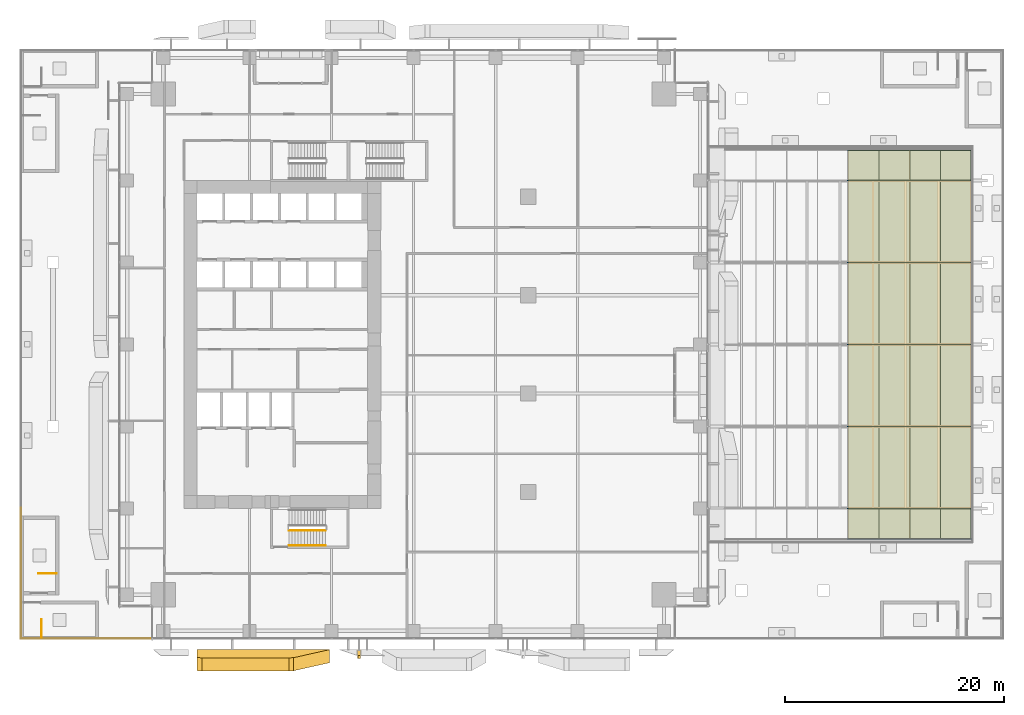
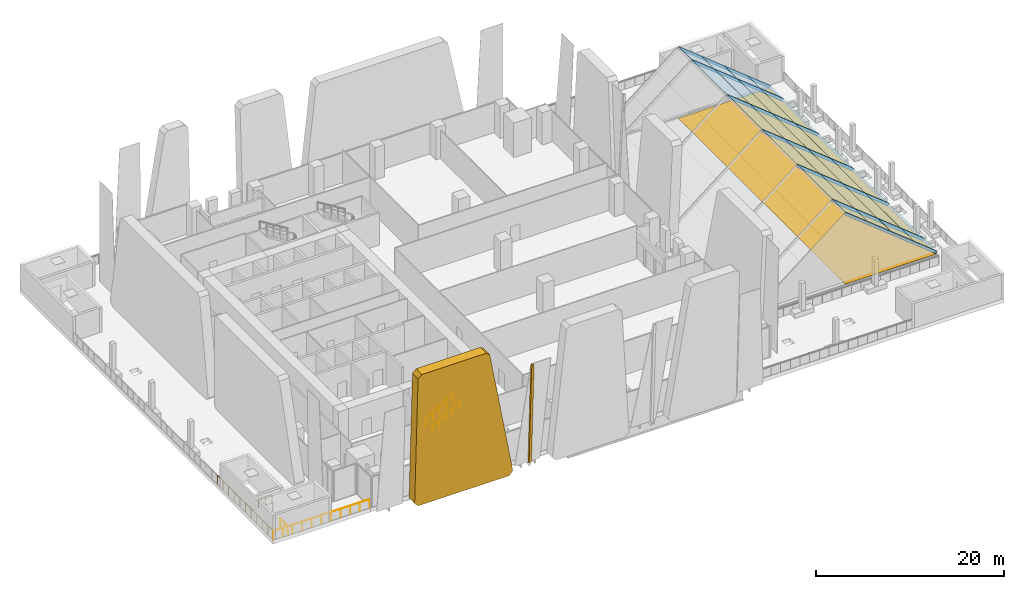
# One storey, part 41 of 46: 24 plates, 8 railings, 7 members, 2 coverings, 1 curtain wall.
"""IFC4 building model written with IfcOpenShell, lengths in metres."""

import ifcopenshell
import ifcopenshell.guid

model = None  # the IFC model being written
_history = None  # IfcOwnerHistory: only IFC2X3 demands one
_inside = {}  # id of a spatial element -> (the spatial element, [elements in it])
_under = {}  # id of a project, library or spatial element -> (it, [spatial elements below it])
_declared = {}  # id of a project -> (the project, [libraries it declares])
_typed = {}  # id of a type object -> (the type object, [elements of that type])
_made_of = {}  # id of a material, layer set ... -> (it, [elements and type objects made of it])


def new_model(schema):
    """Start an empty IFC model of exactly this schema.

    Asked for "IFC4X3", IfcOpenShell would pick the latest addendum, in which some entities
    have other attributes; the version numbers below select the first issue.
    IFC2X3 requires an IfcOwnerHistory on every rooted entity: one is made here for all.
    """
    global model, _history
    if schema == "IFC4X3":
        model = ifcopenshell.file(schema_version=(4, 3, 0, 0))
    else:
        model = ifcopenshell.file(schema=schema)
    _inside.clear()
    _under.clear()
    _declared.clear()
    _typed.clear()
    _made_of.clear()
    _history = None
    if model.schema == "IFC2X3":
        org = make("IfcOrganization", Name="unknown")
        user = make(
            "IfcPersonAndOrganization",
            ThePerson=make("IfcPerson", FamilyName="unknown"),
            TheOrganization=org,
        )
        app = make(
            "IfcApplication",
            ApplicationDeveloper=org,
            Version="unknown",
            ApplicationFullName="unknown",
            ApplicationIdentifier="unknown",
        )
        _history = make(
            "IfcOwnerHistory",
            OwningUser=user,
            OwningApplication=app,
            ChangeAction="ADDED",
            CreationDate=0,
        )
    return model


def make(cls, **values):
    """One entity of the class cls with the attributes given. An attribute that is None is left unset."""
    return model.create_entity(
        cls, **{name: value for name, value in values.items() if value is not None}
    )


def rooted(cls, **values):
    """An entity with a GlobalId (a new one), such as an element, a storey or a relation."""
    return make(cls, GlobalId=ifcopenshell.guid.new(), OwnerHistory=_history, **values)


def si_unit(unit_type, name, prefix=None):
    """IfcSIUnit, for example si_unit("LENGTHUNIT", "METRE", prefix="MILLI")."""
    return make("IfcSIUnit", UnitType=unit_type, Prefix=prefix, Name=name)


def assignment(units):
    """IfcUnitAssignment: the units of a project."""
    return None if units is None else make("IfcUnitAssignment", Units=units)


def point(xyz):
    """IfcCartesianPoint."""
    return None if xyz is None else make("IfcCartesianPoint", Coordinates=xyz)


def direction(xyz):
    """IfcDirection."""
    return None if xyz is None else make("IfcDirection", DirectionRatios=xyz)


def frame(location, z_axis=None, x_axis=None):
    """IfcAxis2Placement3D, a coordinate frame: its origin and axes. An axis left out is left unset."""
    return make(
        "IfcAxis2Placement3D",
        Location=point(location),
        Axis=direction(z_axis),
        RefDirection=direction(x_axis),
    )


def frame_2d(location, x_axis=None):
    """IfcAxis2Placement2D, a coordinate frame in the plane: its origin and x axis."""
    return make(
        "IfcAxis2Placement2D", Location=point(location), RefDirection=direction(x_axis)
    )


def origin():
    """The frame at (0, 0, 0) with its axes left unset."""
    return frame((0.0, 0.0, 0.0))


def origin_2d():
    """The frame at (0, 0) in the plane with its x axis left unset."""
    return frame_2d((0.0, 0.0))


def place(relative_to, where):
    """IfcLocalPlacement: puts the frame where relative to a parent placement (None: the world)."""
    return make(
        "IfcLocalPlacement", PlacementRelTo=relative_to, RelativePlacement=where
    )


def context(
    kind, dimensions, precision=None, world=None, true_north=None, identifier=None
):
    """IfcGeometricRepresentationContext, for example the 3D "Model" context."""
    return make(
        "IfcGeometricRepresentationContext",
        ContextIdentifier=identifier,
        ContextType=kind,
        CoordinateSpaceDimension=dimensions,
        Precision=precision,
        WorldCoordinateSystem=world,
        TrueNorth=true_north,
    )


def subcontext(parent, identifier, kind, view, scale=None):
    """IfcGeometricRepresentationSubContext, for example "Body" below "Model"."""
    return make(
        "IfcGeometricRepresentationSubContext",
        ContextIdentifier=identifier,
        ContextType=kind,
        ParentContext=parent,
        TargetScale=scale,
        TargetView=view,
    )


def project(units=None, contexts=None):
    """IfcProject with its units and contexts."""
    return rooted(
        "IfcProject",
        Name="project",
        RepresentationContexts=contexts,
        UnitsInContext=assignment(units),
    )


def spatial(cls, under=None, at=None, **own):
    """A site, building, storey or space (cls), placed at a placement, below another one or the project."""
    s = rooted(cls, ObjectPlacement=at, **own)
    if under is not None:
        _under.setdefault(under.id(), (under, []))[1].append(s)
    return s


def polyline(points):
    """IfcPolyline through the points."""
    return make("IfcPolyline", Points=[point(p) for p in points])


def profile(cls, at=None, kind="AREA", **sizes):
    """A parametric profile (cls). Its sizes go by their IFC names, for example OverallWidth=200.0."""
    return make(cls, ProfileType=kind, Position=at, **sizes)


def hollow_rectangle(**sizes):
    """IfcRectangleHollowProfileDef."""
    return profile("IfcRectangleHollowProfileDef", **sizes)


def circle(**sizes):
    """IfcCircleProfileDef."""
    return profile("IfcCircleProfileDef", **sizes)


def outline(outer, holes=None, kind="AREA"):
    """IfcArbitraryClosedProfileDef: a profile drawn as a closed curve; with holes, ...WithVoids."""
    if holes is None:
        return make("IfcArbitraryClosedProfileDef", ProfileType=kind, OuterCurve=outer)
    return make(
        "IfcArbitraryProfileDefWithVoids",
        ProfileType=kind,
        OuterCurve=outer,
        InnerCurves=holes,
    )


def extrude(swept, where, along, depth):
    """IfcExtrudedAreaSolid: the profile swept, set in the frame where, extruded along a direction by depth."""
    return make(
        "IfcExtrudedAreaSolid",
        SweptArea=swept,
        Position=where,
        ExtrudedDirection=direction(along),
        Depth=depth,
    )


def shape(context_of_items, identifier, shape_type, items):
    """IfcShapeRepresentation: the items that make up one representation, for example the "Body"."""
    return make(
        "IfcShapeRepresentation",
        ContextOfItems=context_of_items,
        RepresentationIdentifier=identifier,
        RepresentationType=shape_type,
        Items=items,
    )


def source(mapping_origin, context_of_items, identifier, shape_type, items):
    """IfcRepresentationMap: a shape defined once, which mapped items show again and again."""
    return make(
        "IfcRepresentationMap",
        MappingOrigin=mapping_origin,
        MappedRepresentation=shape(context_of_items, identifier, shape_type, items),
    )


def transform(
    local_origin,
    x_axis=None,
    y_axis=None,
    z_axis=None,
    scale=None,
    scale2=None,
    scale3=None,
    uniform=True,
):
    """IfcCartesianTransformationOperator3D, or its non-uniform kind. x_axis, y_axis, z_axis: its Axis1, 2, 3."""
    if uniform:
        return make(
            "IfcCartesianTransformationOperator3D",
            Axis1=direction(x_axis),
            Axis2=direction(y_axis),
            LocalOrigin=point(local_origin),
            Scale=scale,
            Axis3=direction(z_axis),
        )
    return make(
        "IfcCartesianTransformationOperator3DnonUniform",
        Axis1=direction(x_axis),
        Axis2=direction(y_axis),
        LocalOrigin=point(local_origin),
        Scale=scale,
        Axis3=direction(z_axis),
        Scale2=scale2,
        Scale3=scale3,
    )


def mapped(mapping_source, mapping_target):
    """IfcMappedItem: shows the shape of a source again, moved by a transform."""
    return make(
        "IfcMappedItem", MappingSource=mapping_source, MappingTarget=mapping_target
    )


def material(Name=None, Category=None):
    """IfcMaterial."""
    return make("IfcMaterial", Name=Name, Category=Category)


def layer(
    of_material, thickness, ventilated=None, Name=None, Category=None, Priority=None
):
    """IfcMaterialLayer: one layer of a wall or slab, of a material (None: an air gap)."""
    return make(
        "IfcMaterialLayer",
        Material=of_material,
        LayerThickness=thickness,
        IsVentilated=ventilated,
        Name=Name,
        Category=Category,
        Priority=Priority,
    )


def layer_set(layers, Name=None):
    """IfcMaterialLayerSet."""
    return make("IfcMaterialLayerSet", MaterialLayers=layers, LayerSetName=Name)


def material_profile(
    of_material, cross_section, Name=None, Category=None, Priority=None
):
    """IfcMaterialProfile: a cross section and its material."""
    return make(
        "IfcMaterialProfile",
        Name=Name,
        Material=of_material,
        Profile=cross_section,
        Priority=Priority,
        Category=Category,
    )


def profile_set(profiles, Name=None, composite=None):
    """IfcMaterialProfileSet."""
    return make(
        "IfcMaterialProfileSet",
        Name=Name,
        MaterialProfiles=profiles,
        CompositeProfile=composite,
    )


def made_of(thing, what):
    """Note that an element or type object is made of a material, layer set ...; save() writes the relation."""
    if what is not None:
        _made_of.setdefault(what.id(), (what, []))[1].append(thing)
    return thing


def type_object(cls, material=None, **own):
    """A type object (cls), such as IfcWallType, which elements share."""
    return made_of(rooted(cls, **own), material)


def element(
    cls,
    number,
    at=None,
    inside=None,
    cuts=None,
    type_object=None,
    material=None,
    context=None,
    identifier="Body",
    shape_type=None,
    held_by="IfcProductDefinitionShape",
    body=None,
    shapes=None,
    **own,
):
    """One element of the class cls, such as IfcWall. Its Tag is "e" and its number.

    at: its placement. inside: the storey or other place that contains it. cuts: it is an
    opening in that element (IfcRelVoidsElement). A single representation is given by context,
    identifier, shape_type and body (its items); several are given by shapes. held_by: the class
    of the entity that holds the representations. save() writes the other relations.
    """
    e = rooted(cls, Tag="e%d" % number, ObjectPlacement=at, **own)
    if body is not None:
        shapes = [shape(context, identifier, shape_type, body)]
    if shapes is not None:
        e.Representation = make(held_by, Representations=shapes)
    if inside is not None:
        _inside.setdefault(inside.id(), (inside, []))[1].append(e)
    if cuts is not None:
        rooted(
            "IfcRelVoidsElement", RelatingBuildingElement=cuts, RelatedOpeningElement=e
        )
    if type_object is not None:
        _typed.setdefault(type_object.id(), (type_object, []))[1].append(e)
    return made_of(e, material)


def aggregate(whole, parts):
    """IfcRelAggregates: a whole, such as a stair, and the parts it consists of."""
    return rooted("IfcRelAggregates", RelatingObject=whole, RelatedObjects=parts)


def save(model, path):
    """Write the relations noted so far, then the file.

    IfcRelAggregates (storeys below a building ...), IfcRelContainedInSpatialStructure (elements
    in a storey), IfcRelDefinesByType, IfcRelAssociatesMaterial and IfcRelDeclares: one each for
    every whole, place, type object, material and project.
    """
    for whole, parts in _under.values():
        aggregate(whole, parts)
    for where, things in _inside.values():
        rooted(
            "IfcRelContainedInSpatialStructure",
            RelatedElements=things,
            RelatingStructure=where,
        )
    for kind, things in _typed.values():
        rooted("IfcRelDefinesByType", RelatedObjects=things, RelatingType=kind)
    for what, things in _made_of.values():
        rooted("IfcRelAssociatesMaterial", RelatedObjects=things, RelatingMaterial=what)
    for by, libraries in _declared.values():
        rooted("IfcRelDeclares", RelatingContext=by, RelatedDefinitions=libraries)
    model.write(path)


model = new_model("IFC4")

# Units and contexts
model_context = context("Model", 3, precision=1e-05, world=origin(), true_north=direction((0.0, 1.0)))
body_context = subcontext(model_context, "Body", "Model", "MODEL_VIEW")
ifc_project = project(units=[si_unit("LENGTHUNIT", "METRE"), si_unit("AREAUNIT", "SQUARE_METRE"), si_unit("VOLUMEUNIT", "CUBIC_METRE"), si_unit("PLANEANGLEUNIT", "RADIAN"), si_unit("MASSUNIT", "GRAM", prefix="KILO")], contexts=[model_context])

# Member
ifc_material_1 = material(Name="Aluminium", Category="aluminium")
ifc_material_profile = material_profile(ifc_material_1, hollow_rectangle(XDim=0.10009765625, YDim=0.300048828125, WallThickness=0.007080078125, at=origin_2d()), Name="Atrium lantern rafter RF-L")
ifc_profile_set = profile_set([ifc_material_profile], Name="Aluminium")
member_type = type_object("IfcMemberType", Name="Atrium lantern rafter RF-L", PredefinedType="MULLION", material=ifc_profile_set)
shared_shape_1 = source(origin(), body_context, "Body", "SweptSolid", [
    extrude(hollow_rectangle(XDim=0.10009765625, YDim=0.300048828125, WallThickness=0.007080078125, at=origin_2d()), origin(), (0.0, 0.0, 1.0), 14.406982421875),
])
site_placement = place(None, origin())
building_placement = place(site_placement, origin())
storey_placement = place(building_placement, frame((0.0, 0.0, 33.0)))
member_1_placement = place(storey_placement, frame((78.0, 9.199951171875, 1.4521484375), z_axis=(-0.780868809443, 0.0, 0.624695047554), x_axis=(0.0, -1.0, 0.0)))
member_1 = element("IfcMember", 1, at=member_1_placement, type_object=member_type, Name="Atrium lantern rafter", PredefinedType="MULLION", context=body_context, shape_type="MappedRepresentation", body=[
    mapped(shared_shape_1, transform((0.0, 0.0, 0.0))),
])

member_2_placement = place(storey_placement, frame((78.0, 12.0, 1.4521484375), z_axis=(-0.780868809443, 0.0, 0.624695047554), x_axis=(0.0, -1.0, 0.0)))
member_2 = element("IfcMember", 2, at=member_2_placement, type_object=member_type, Name="Atrium lantern rafter", PredefinedType="MULLION", context=body_context, shape_type="MappedRepresentation", body=[
    mapped(shared_shape_1, transform((0.0, 0.0, 0.0))),
])

member_3_placement = place(storey_placement, frame((78.0, 19.5, 1.4521484375), z_axis=(-0.780868809443, 0.0, 0.624695047554), x_axis=(0.0, -1.0, 0.0)))
member_3 = element("IfcMember", 3, at=member_3_placement, type_object=member_type, Name="Atrium lantern rafter", PredefinedType="MULLION", context=body_context, shape_type="MappedRepresentation", body=[
    mapped(shared_shape_1, transform((0.0, 0.0, 0.0))),
])

member_4_placement = place(storey_placement, frame((78.0, 27.0, 1.4521484375), z_axis=(-0.780868809443, 0.0, 0.624695047554), x_axis=(0.0, -1.0, 0.0)))
member_4 = element("IfcMember", 4, at=member_4_placement, type_object=member_type, Name="Atrium lantern rafter", PredefinedType="MULLION", context=body_context, shape_type="MappedRepresentation", body=[
    mapped(shared_shape_1, transform((0.0, 0.0, 0.0))),
])

member_5_placement = place(storey_placement, frame((78.0, 34.5, 1.4521484375), z_axis=(-0.780868809443, 0.0, 0.624695047554), x_axis=(0.0, -1.0, 0.0)))
member_5 = element("IfcMember", 5, at=member_5_placement, type_object=member_type, Name="Atrium lantern rafter", PredefinedType="MULLION", context=body_context, shape_type="MappedRepresentation", body=[
    mapped(shared_shape_1, transform((0.0, 0.0, 0.0))),
])

member_6_placement = place(storey_placement, frame((78.0, 42.0, 1.4521484375), z_axis=(-0.780868809443, 0.0, 0.624695047554), x_axis=(0.0, -1.0, 0.0)))
member_6 = element("IfcMember", 6, at=member_6_placement, type_object=member_type, Name="Atrium lantern rafter", PredefinedType="MULLION", context=body_context, shape_type="MappedRepresentation", body=[
    mapped(shared_shape_1, transform((0.0, 0.0, 0.0))),
])

member_7_placement = place(storey_placement, frame((78.0, 44.800048828125, 1.4521484375), z_axis=(-0.780868809443, 0.0, 0.624695047554), x_axis=(0.0, -1.0, 0.0)))
member_7 = element("IfcMember", 7, at=member_7_placement, type_object=member_type, Name="Atrium lantern rafter", PredefinedType="MULLION", context=body_context, shape_type="MappedRepresentation", body=[
    mapped(shared_shape_1, transform((0.0, 0.0, 0.0))),
])

# Plate
ifc_material_2 = material(Name="Laminated heat-strengthened glass", Category="glass")
ifc_layer_1 = layer(ifc_material_2, 0.031982421875)
ifc_layer_set_1 = layer_set([ifc_layer_1], Name="Laminated heat-strengthened glass")
plate_type = type_object("IfcPlateType", Name="Atrium lantern glazing panel AL-P", PredefinedType="CURTAIN_PANEL", material=ifc_layer_set_1)
plate_1_placement = place(storey_placement, frame((75.197509765625, 9.219970703125, 3.918212890625), z_axis=(0.0, 0.0, 1.0), x_axis=(1.0, 0.0, 0.0)))
plate_1 = element("IfcPlate", 8, at=plate_1_placement, type_object=plate_type, Name="Atrium lantern glazing panel", PredefinedType="CURTAIN_PANEL", context=body_context, shape_type="SweptSolid", body=[
    extrude(outline(polyline([(0.0, 0.0), (2.802490234375, -2.241943359375), (2.802490234375, -2.282958984375), (0.0, -0.041015625), (0.0, 0.0)])), frame((0.0, 2.760009765625, 0.0), z_axis=(0.0, -1.0, 0.0), x_axis=(1.0, 0.0, 0.0)), (0.0, 0.0, 1.0), 2.760009765625),
])

plate_2_placement = place(storey_placement, frame((75.197509765625, 12.02001953125, 3.918212890625), z_axis=(0.0, 0.0, 1.0), x_axis=(1.0, 0.0, 0.0)))
plate_2 = element("IfcPlate", 9, at=plate_2_placement, type_object=plate_type, Name="Atrium lantern glazing panel", PredefinedType="CURTAIN_PANEL", context=body_context, shape_type="SweptSolid", body=[
    extrude(outline(polyline([(0.0, 0.0), (2.802490234375, -2.241943359375), (2.802490234375, -2.282958984375), (0.0, -0.041015625), (0.0, 0.0)])), frame((0.0, 7.4599609375, 0.0), z_axis=(0.0, -1.0, 0.0), x_axis=(1.0, 0.0, 0.0)), (0.0, 0.0, 1.0), 7.4599609375),
])

plate_3_placement = place(storey_placement, frame((75.197509765625, 19.52001953125, 3.918212890625), z_axis=(0.0, 0.0, 1.0), x_axis=(1.0, 0.0, 0.0)))
plate_3 = element("IfcPlate", 10, at=plate_3_placement, type_object=plate_type, Name="Atrium lantern glazing panel", PredefinedType="CURTAIN_PANEL", context=body_context, shape_type="SweptSolid", body=[
    extrude(outline(polyline([(0.0, 0.0), (2.802490234375, -2.241943359375), (2.802490234375, -2.282958984375), (0.0, -0.041015625), (0.0, 0.0)])), frame((0.0, 7.4599609375, 0.0), z_axis=(0.0, -1.0, 0.0), x_axis=(1.0, 0.0, 0.0)), (0.0, 0.0, 1.0), 7.4599609375),
])

plate_4_placement = place(storey_placement, frame((75.197509765625, 27.02001953125, 3.918212890625), z_axis=(0.0, 0.0, 1.0), x_axis=(1.0, 0.0, 0.0)))
plate_4 = element("IfcPlate", 11, at=plate_4_placement, type_object=plate_type, Name="Atrium lantern glazing panel", PredefinedType="CURTAIN_PANEL", context=body_context, shape_type="SweptSolid", body=[
    extrude(outline(polyline([(0.0, 0.0), (2.802490234375, -2.241943359375), (2.802490234375, -2.282958984375), (0.0, -0.041015625), (0.0, 0.0)])), frame((0.0, 7.4599609375, 0.0), z_axis=(0.0, -1.0, 0.0), x_axis=(1.0, 0.0, 0.0)), (0.0, 0.0, 1.0), 7.4599609375),
])

plate_5_placement = place(storey_placement, frame((75.197509765625, 34.52001953125, 3.918212890625), z_axis=(0.0, 0.0, 1.0), x_axis=(1.0, 0.0, 0.0)))
plate_5 = element("IfcPlate", 12, at=plate_5_placement, type_object=plate_type, Name="Atrium lantern glazing panel", PredefinedType="CURTAIN_PANEL", context=body_context, shape_type="SweptSolid", body=[
    extrude(outline(polyline([(0.0, 0.0), (2.802490234375, -2.241943359375), (2.802490234375, -2.282958984375), (0.0, -0.041015625), (0.0, 0.0)])), frame((0.0, 7.4599609375, 0.0), z_axis=(0.0, -1.0, 0.0), x_axis=(1.0, 0.0, 0.0)), (0.0, 0.0, 1.0), 7.4599609375),
])

plate_6_placement = place(storey_placement, frame((75.197509765625, 42.02001953125, 3.918212890625), z_axis=(0.0, 0.0, 1.0), x_axis=(1.0, 0.0, 0.0)))
plate_6 = element("IfcPlate", 13, at=plate_6_placement, type_object=plate_type, Name="Atrium lantern glazing panel", PredefinedType="CURTAIN_PANEL", context=body_context, shape_type="SweptSolid", body=[
    extrude(outline(polyline([(0.0, 0.0), (2.802490234375, -2.241943359375), (2.802490234375, -2.282958984375), (0.0, -0.041015625), (0.0, 0.0)])), frame((0.0, 2.760009765625, 0.0), z_axis=(0.0, -1.0, 0.0), x_axis=(1.0, 0.0, 0.0)), (0.0, 0.0, 1.0), 2.760009765625),
])

plate_7_placement = place(storey_placement, frame((72.385009765625, 9.219970703125, 6.168212890625), z_axis=(0.0, 0.0, 1.0), x_axis=(1.0, 0.0, 0.0)))
plate_7 = element("IfcPlate", 14, at=plate_7_placement, type_object=plate_type, Name="Atrium lantern glazing panel", PredefinedType="CURTAIN_PANEL", context=body_context, shape_type="SweptSolid", body=[
    extrude(outline(polyline([(0.0, 0.0), (2.79248046875, -2.234130859375), (2.79248046875, -2.275146484375), (0.0, -0.041015625), (0.0, 0.0)])), frame((0.0, 2.760009765625, 0.0), z_axis=(0.0, -1.0, 0.0), x_axis=(1.0, 0.0, 0.0)), (0.0, 0.0, 1.0), 2.760009765625),
])

plate_8_placement = place(storey_placement, frame((72.385009765625, 12.02001953125, 6.168212890625), z_axis=(0.0, 0.0, 1.0), x_axis=(1.0, 0.0, 0.0)))
plate_8 = element("IfcPlate", 15, at=plate_8_placement, type_object=plate_type, Name="Atrium lantern glazing panel", PredefinedType="CURTAIN_PANEL", context=body_context, shape_type="SweptSolid", body=[
    extrude(outline(polyline([(0.0, 0.0), (2.79248046875, -2.234130859375), (2.79248046875, -2.275146484375), (0.0, -0.041015625), (0.0, 0.0)])), frame((0.0, 7.4599609375, 0.0), z_axis=(0.0, -1.0, 0.0), x_axis=(1.0, 0.0, 0.0)), (0.0, 0.0, 1.0), 7.4599609375),
])

plate_9_placement = place(storey_placement, frame((72.385009765625, 19.52001953125, 6.168212890625), z_axis=(0.0, 0.0, 1.0), x_axis=(1.0, 0.0, 0.0)))
plate_9 = element("IfcPlate", 16, at=plate_9_placement, type_object=plate_type, Name="Atrium lantern glazing panel", PredefinedType="CURTAIN_PANEL", context=body_context, shape_type="SweptSolid", body=[
    extrude(outline(polyline([(0.0, 0.0), (2.79248046875, -2.234130859375), (2.79248046875, -2.275146484375), (0.0, -0.041015625), (0.0, 0.0)])), frame((0.0, 7.4599609375, 0.0), z_axis=(0.0, -1.0, 0.0), x_axis=(1.0, 0.0, 0.0)), (0.0, 0.0, 1.0), 7.4599609375),
])

plate_10_placement = place(storey_placement, frame((72.385009765625, 27.02001953125, 6.168212890625), z_axis=(0.0, 0.0, 1.0), x_axis=(1.0, 0.0, 0.0)))
plate_10 = element("IfcPlate", 17, at=plate_10_placement, type_object=plate_type, Name="Atrium lantern glazing panel", PredefinedType="CURTAIN_PANEL", context=body_context, shape_type="SweptSolid", body=[
    extrude(outline(polyline([(0.0, 0.0), (2.79248046875, -2.234130859375), (2.79248046875, -2.275146484375), (0.0, -0.041015625), (0.0, 0.0)])), frame((0.0, 7.4599609375, 0.0), z_axis=(0.0, -1.0, 0.0), x_axis=(1.0, 0.0, 0.0)), (0.0, 0.0, 1.0), 7.4599609375),
])

plate_11_placement = place(storey_placement, frame((72.385009765625, 34.52001953125, 6.168212890625), z_axis=(0.0, 0.0, 1.0), x_axis=(1.0, 0.0, 0.0)))
plate_11 = element("IfcPlate", 18, at=plate_11_placement, type_object=plate_type, Name="Atrium lantern glazing panel", PredefinedType="CURTAIN_PANEL", context=body_context, shape_type="SweptSolid", body=[
    extrude(outline(polyline([(0.0, 0.0), (2.79248046875, -2.234130859375), (2.79248046875, -2.275146484375), (0.0, -0.041015625), (0.0, 0.0)])), frame((0.0, 7.4599609375, 0.0), z_axis=(0.0, -1.0, 0.0), x_axis=(1.0, 0.0, 0.0)), (0.0, 0.0, 1.0), 7.4599609375),
])

plate_12_placement = place(storey_placement, frame((72.385009765625, 42.02001953125, 6.168212890625), z_axis=(0.0, 0.0, 1.0), x_axis=(1.0, 0.0, 0.0)))
plate_12 = element("IfcPlate", 19, at=plate_12_placement, type_object=plate_type, Name="Atrium lantern glazing panel", PredefinedType="CURTAIN_PANEL", context=body_context, shape_type="SweptSolid", body=[
    extrude(outline(polyline([(0.0, 0.0), (2.79248046875, -2.234130859375), (2.79248046875, -2.275146484375), (0.0, -0.041015625), (0.0, 0.0)])), frame((0.0, 2.760009765625, 0.0), z_axis=(0.0, -1.0, 0.0), x_axis=(1.0, 0.0, 0.0)), (0.0, 0.0, 1.0), 2.760009765625),
])

placement = place(building_placement, frame((0.0, 0.0, 37.5)))
plate_13_placement = place(placement, frame((69.572509765625, 9.219970703125, 3.918212890625), z_axis=(0.0, 0.0, 1.0), x_axis=(1.0, 0.0, 0.0)))
plate_13 = element("IfcPlate", 20, at=plate_13_placement, type_object=plate_type, Name="Atrium lantern glazing panel", PredefinedType="CURTAIN_PANEL", context=body_context, shape_type="SweptSolid", body=[
    extrude(outline(polyline([(0.0, 0.0), (2.79248046875, -2.234130859375), (2.79248046875, -2.275146484375), (0.0, -0.041015625), (0.0, 0.0)])), frame((0.0, 2.760009765625, 0.0), z_axis=(0.0, -1.0, 0.0), x_axis=(1.0, 0.0, 0.0)), (0.0, 0.0, 1.0), 2.760009765625),
])

plate_14_placement = place(placement, frame((69.572509765625, 12.02001953125, 3.918212890625), z_axis=(0.0, 0.0, 1.0), x_axis=(1.0, 0.0, 0.0)))
plate_14 = element("IfcPlate", 21, at=plate_14_placement, type_object=plate_type, Name="Atrium lantern glazing panel", PredefinedType="CURTAIN_PANEL", context=body_context, shape_type="SweptSolid", body=[
    extrude(outline(polyline([(0.0, 0.0), (2.79248046875, -2.234130859375), (2.79248046875, -2.275146484375), (0.0, -0.041015625), (0.0, 0.0)])), frame((0.0, 7.4599609375, 0.0), z_axis=(0.0, -1.0, 0.0), x_axis=(1.0, 0.0, 0.0)), (0.0, 0.0, 1.0), 7.4599609375),
])

plate_15_placement = place(placement, frame((69.572509765625, 19.52001953125, 3.918212890625), z_axis=(0.0, 0.0, 1.0), x_axis=(1.0, 0.0, 0.0)))
plate_15 = element("IfcPlate", 22, at=plate_15_placement, type_object=plate_type, Name="Atrium lantern glazing panel", PredefinedType="CURTAIN_PANEL", context=body_context, shape_type="SweptSolid", body=[
    extrude(outline(polyline([(0.0, 0.0), (2.79248046875, -2.234130859375), (2.79248046875, -2.275146484375), (0.0, -0.041015625), (0.0, 0.0)])), frame((0.0, 7.4599609375, 0.0), z_axis=(0.0, -1.0, 0.0), x_axis=(1.0, 0.0, 0.0)), (0.0, 0.0, 1.0), 7.4599609375),
])

plate_16_placement = place(placement, frame((69.572509765625, 27.02001953125, 3.918212890625), z_axis=(0.0, 0.0, 1.0), x_axis=(1.0, 0.0, 0.0)))
plate_16 = element("IfcPlate", 23, at=plate_16_placement, type_object=plate_type, Name="Atrium lantern glazing panel", PredefinedType="CURTAIN_PANEL", context=body_context, shape_type="SweptSolid", body=[
    extrude(outline(polyline([(0.0, 0.0), (2.79248046875, -2.234130859375), (2.79248046875, -2.275146484375), (0.0, -0.041015625), (0.0, 0.0)])), frame((0.0, 7.4599609375, 0.0), z_axis=(0.0, -1.0, 0.0), x_axis=(1.0, 0.0, 0.0)), (0.0, 0.0, 1.0), 7.4599609375),
])

plate_17_placement = place(placement, frame((69.572509765625, 34.52001953125, 3.918212890625), z_axis=(0.0, 0.0, 1.0), x_axis=(1.0, 0.0, 0.0)))
plate_17 = element("IfcPlate", 24, at=plate_17_placement, type_object=plate_type, Name="Atrium lantern glazing panel", PredefinedType="CURTAIN_PANEL", context=body_context, shape_type="SweptSolid", body=[
    extrude(outline(polyline([(0.0, 0.0), (2.79248046875, -2.234130859375), (2.79248046875, -2.275146484375), (0.0, -0.041015625), (0.0, 0.0)])), frame((0.0, 7.4599609375, 0.0), z_axis=(0.0, -1.0, 0.0), x_axis=(1.0, 0.0, 0.0)), (0.0, 0.0, 1.0), 7.4599609375),
])

plate_18_placement = place(placement, frame((69.572509765625, 42.02001953125, 3.918212890625), z_axis=(0.0, 0.0, 1.0), x_axis=(1.0, 0.0, 0.0)))
plate_18 = element("IfcPlate", 25, at=plate_18_placement, type_object=plate_type, Name="Atrium lantern glazing panel", PredefinedType="CURTAIN_PANEL", context=body_context, shape_type="SweptSolid", body=[
    extrude(outline(polyline([(0.0, 0.0), (2.79248046875, -2.234130859375), (2.79248046875, -2.275146484375), (0.0, -0.041015625), (0.0, 0.0)])), frame((0.0, 2.760009765625, 0.0), z_axis=(0.0, -1.0, 0.0), x_axis=(1.0, 0.0, 0.0)), (0.0, 0.0, 1.0), 2.760009765625),
])

plate_19_placement = place(placement, frame((66.75, 9.219970703125, 6.17626953125), z_axis=(0.0, 0.0, 1.0), x_axis=(1.0, 0.0, 0.0)))
plate_19 = element("IfcPlate", 26, at=plate_19_placement, type_object=plate_type, Name="Atrium lantern glazing panel", PredefinedType="CURTAIN_PANEL", context=body_context, shape_type="SweptSolid", body=[
    extrude(outline(polyline([(0.0, 0.0), (2.802490234375, -2.2421875), (2.802490234375, -2.283203125), (0.0, -0.041015625), (0.0, 0.0)])), frame((0.0, 2.760009765625, 0.0), z_axis=(0.0, -1.0, 0.0), x_axis=(1.0, 0.0, 0.0)), (0.0, 0.0, 1.0), 2.760009765625),
])

plate_20_placement = place(placement, frame((66.75, 12.02001953125, 6.17626953125), z_axis=(0.0, 0.0, 1.0), x_axis=(1.0, 0.0, 0.0)))
plate_20 = element("IfcPlate", 27, at=plate_20_placement, type_object=plate_type, Name="Atrium lantern glazing panel", PredefinedType="CURTAIN_PANEL", context=body_context, shape_type="SweptSolid", body=[
    extrude(outline(polyline([(0.0, 0.0), (2.802490234375, -2.2421875), (2.802490234375, -2.283203125), (0.0, -0.041015625), (0.0, 0.0)])), frame((0.0, 7.4599609375, 0.0), z_axis=(0.0, -1.0, 0.0), x_axis=(1.0, 0.0, 0.0)), (0.0, 0.0, 1.0), 7.4599609375),
])

plate_21_placement = place(placement, frame((66.75, 19.52001953125, 6.17626953125), z_axis=(0.0, 0.0, 1.0), x_axis=(1.0, 0.0, 0.0)))
plate_21 = element("IfcPlate", 28, at=plate_21_placement, type_object=plate_type, Name="Atrium lantern glazing panel", PredefinedType="CURTAIN_PANEL", context=body_context, shape_type="SweptSolid", body=[
    extrude(outline(polyline([(0.0, 0.0), (2.802490234375, -2.2421875), (2.802490234375, -2.283203125), (0.0, -0.041015625), (0.0, 0.0)])), frame((0.0, 7.4599609375, 0.0), z_axis=(0.0, -1.0, 0.0), x_axis=(1.0, 0.0, 0.0)), (0.0, 0.0, 1.0), 7.4599609375),
])

plate_22_placement = place(placement, frame((66.75, 27.02001953125, 6.17626953125), z_axis=(0.0, 0.0, 1.0), x_axis=(1.0, 0.0, 0.0)))
plate_22 = element("IfcPlate", 29, at=plate_22_placement, type_object=plate_type, Name="Atrium lantern glazing panel", PredefinedType="CURTAIN_PANEL", context=body_context, shape_type="SweptSolid", body=[
    extrude(outline(polyline([(0.0, 0.0), (2.802490234375, -2.2421875), (2.802490234375, -2.283203125), (0.0, -0.041015625), (0.0, 0.0)])), frame((0.0, 7.4599609375, 0.0), z_axis=(0.0, -1.0, 0.0), x_axis=(1.0, 0.0, 0.0)), (0.0, 0.0, 1.0), 7.4599609375),
])

plate_23_placement = place(placement, frame((66.75, 34.52001953125, 6.17626953125), z_axis=(0.0, 0.0, 1.0), x_axis=(1.0, 0.0, 0.0)))
plate_23 = element("IfcPlate", 30, at=plate_23_placement, type_object=plate_type, Name="Atrium lantern glazing panel", PredefinedType="CURTAIN_PANEL", context=body_context, shape_type="SweptSolid", body=[
    extrude(outline(polyline([(0.0, 0.0), (2.802490234375, -2.2421875), (2.802490234375, -2.283203125), (0.0, -0.041015625), (0.0, 0.0)])), frame((0.0, 7.4599609375, 0.0), z_axis=(0.0, -1.0, 0.0), x_axis=(1.0, 0.0, 0.0)), (0.0, 0.0, 1.0), 7.4599609375),
])

plate_24_placement = place(placement, frame((66.75, 42.02001953125, 6.17626953125), z_axis=(0.0, 0.0, 1.0), x_axis=(1.0, 0.0, 0.0)))
plate_24 = element("IfcPlate", 31, at=plate_24_placement, type_object=plate_type, Name="Atrium lantern glazing panel", PredefinedType="CURTAIN_PANEL", context=body_context, shape_type="SweptSolid", body=[
    extrude(outline(polyline([(0.0, 0.0), (2.802490234375, -2.2421875), (2.802490234375, -2.283203125), (0.0, -0.041015625), (0.0, 0.0)])), frame((0.0, 2.760009765625, 0.0), z_axis=(0.0, -1.0, 0.0), x_axis=(1.0, 0.0, 0.0)), (0.0, 0.0, 1.0), 2.760009765625),
])

# Site, building, storey
site = spatial("IfcSite", under=ifc_project, at=site_placement, CompositionType="ELEMENT")
building = spatial("IfcBuilding", under=site, at=building_placement, Name="Khomas Fold Tower", CompositionType="ELEMENT")
storey = spatial("IfcBuildingStorey", under=building, at=storey_placement, Name="L06", CompositionType="ELEMENT", Elevation=33.0)

# Curtain wall
ifc_material_3 = material(Name="Aluminium framed double glazing", Category="aluminium")
curtain_wall_type = type_object("IfcCurtainWallType", Name="Atrium lantern glazing system AL-CW", PredefinedType="NOTDEFINED", material=ifc_material_3)
curtain_wall_placement = place(storey_placement, frame((66.75, 9.199951171875, 1.27001953125), z_axis=(0.0, 0.0, 1.0), x_axis=(1.0, 0.0, 0.0)))
curtain_wall = element("IfcCurtainWall", 32, at=curtain_wall_placement, inside=storey, type_object=curtain_wall_type, Name="Atrium lantern glazing E", PredefinedType="NOTDEFINED", context=body_context, shape_type="SweptSolid", body=[
    extrude(outline(polyline([(0.0, 0.0), (11.25, 0.0), (11.25, 35.60009765625), (0.0, 35.60009765625), (0.0, 0.0)])), origin(), (0.0, 0.0, -1.0), 0.031982421875),
])

aggregate(curtain_wall, [member_1, member_2, member_3, member_4, member_5, member_6, member_7, plate_1, plate_2, plate_3, plate_4, plate_5, plate_6, plate_7, plate_8, plate_9, plate_10, plate_11, plate_12, plate_13, plate_14, plate_15, plate_16, plate_17, plate_18, plate_19, plate_20, plate_21, plate_22, plate_23, plate_24])

# Coverings
ifc_material_4 = material(Name="Natural stone cladding", Category="masonry")
ifc_layer_2 = layer(ifc_material_4, 0.25)
ifc_layer_set_2 = layer_set([ifc_layer_2], Name="Natural stone cladding")
covering_type_1 = type_object("IfcCoveringType", Name="SK-Karibib marble stone mullion", PredefinedType="CLADDING", material=ifc_layer_set_2)
covering_1_placement = place(storey_placement, frame((21.85009765625, -0.89990234375, 0.0), z_axis=(-0.000342319179, 0.999042235618, 0.043754934226), x_axis=(-5.061e-09, -0.043754936791, 0.999042294153)))
element("IfcCovering", 33, at=covering_1_placement, inside=storey, type_object=covering_type_1, Name="OUTER SKIN mullion L06 SM102-3", PredefinedType="CLADDING", context=body_context, shape_type="SweptSolid", body=[
    extrude(outline(polyline([(0.0, 0.0), (12.650551425307233, 0.0), (13.06255811896551, 0.05322272548054879), (13.06255811771751, 0.2998047422830088), (-1.5173702368390942e-09, 0.29980466993408006), (0.0, 0.0)])), origin(), (0.0, 0.0, -1.0), 0.25),
])
ifc_material_5 = material(Name="Natural stone cladding", Category="masonry")
ifc_layer_3 = layer(ifc_material_5, 1.199951171875)
ifc_layer_set_3 = layer_set([ifc_layer_3], Name="Natural stone cladding")
covering_type_2 = type_object("IfcCoveringType", Name="SK-Karibib marble stone panel", PredefinedType="CLADDING", material=ifc_layer_set_3)
covering_2_placement = place(storey_placement, frame((16.0361328125, -1.652587890625, 17.1865234375), z_axis=(-7.9153e-08, 0.999041920394, 0.043763469885), x_axis=(0.191969152154, 0.042949526545, -0.980460699259)))
element("IfcCovering", 34, at=covering_2_placement, inside=storey, type_object=covering_type_2, Name="OUTER SKIN leaf L06 SS03-1", PredefinedType="CLADDING", context=body_context, shape_type="SweptSolid", body=[
    extrude(outline(polyline([(0.0, 0.0), (16.98194594817358, -8.881784197001252e-16), (17.424123202385424, 0.5362646501664066), (15.273140722378411, 11.532699480969844), (14.744755193129446, 11.887821866176845), (-1.611379930047529, 8.688443100967001), (-1.967011969345391, 8.160400461959131), (-0.44189766752802045, 0.3635819451452139), (0.0, 0.0)])), origin(), (0.0, 0.0, -1.0), 1.199951171875),
])

# Railings
ifc_material_6 = material(Name="Powder-coated steel", Category="steel")
railing_type_1 = type_object("IfcRailingType", Name="Balcony guard", PredefinedType="GUARDRAIL", material=ifc_material_6)
shared_shape_2 = source(origin(), body_context, "Body", "SweptSolid", [
    extrude(circle(Radius=0.02490234375, at=origin_2d()), frame((0.0, 0.0, 1.125), z_axis=(0.0, 1.0, 0.0), x_axis=(-1.0, 0.0, 0.0)), (0.0, 0.0, 1.0), 5.977783203125),
    extrude(circle(Radius=0.02001953125, at=origin_2d()), origin(), (0.0, 0.0, 1.0), 1.099853515625),
    extrude(circle(Radius=0.02001953125, at=origin_2d()), frame((0.0, 1.195556640625, 0.0)), (0.0, 0.0, 1.0), 1.099853515625),
    extrude(circle(Radius=0.02001953125, at=origin_2d()), frame((0.0, 2.39111328125, 0.0)), (0.0, 0.0, 1.0), 1.099853515625),
    extrude(circle(Radius=0.02001953125, at=origin_2d()), frame((0.0, 3.586669921875, 0.0)), (0.0, 0.0, 1.0), 1.099853515625),
    extrude(circle(Radius=0.02001953125, at=origin_2d()), frame((0.0, 4.7822265625, 0.0)), (0.0, 0.0, 1.0), 1.099853515625),
    extrude(circle(Radius=0.02001953125, at=origin_2d()), frame((0.0, 5.977783203125, 0.0)), (0.0, 0.0, 1.0), 1.099853515625),
])
for number, where, name in (
    (35, (-8.89990234375, 0.10009765625, 0.0), "GUARD 201"),
    (36, (-8.89990234375, 6.077880859375, 0.0), "GUARD 201"),
):
    element("IfcRailing", number, at=place(storey_placement, frame(where)), inside=storey, type_object=railing_type_1, Name=name, PredefinedType="GUARDRAIL", context=body_context, shape_type="MappedRepresentation", body=[
        mapped(shared_shape_2, transform((0.0, 0.0, 0.0))),
    ])
shared_shape_3 = source(origin(), body_context, "Body", "SweptSolid", [
    extrude(circle(Radius=0.02490234375, at=origin_2d()), frame((0.0, 0.0, 1.125), z_axis=(-1.0, 0.0, 0.0), x_axis=(0.0, -1.0, 0.0)), (0.0, 0.0, 1.0), 5.894775390625),
    extrude(circle(Radius=0.02001953125, at=origin_2d()), origin(), (0.0, 0.0, 1.0), 1.099853515625),
    extrude(circle(Radius=0.02001953125, at=origin_2d()), frame((-1.178955078125, 0.0, 0.0)), (0.0, 0.0, 1.0), 1.099853515625),
    extrude(circle(Radius=0.02001953125, at=origin_2d()), frame((-2.35791015625, 0.0, 0.0)), (0.0, 0.0, 1.0), 1.099853515625),
    extrude(circle(Radius=0.02001953125, at=origin_2d()), frame((-3.536865234375, 0.0, 0.0)), (0.0, 0.0, 1.0), 1.099853515625),
    extrude(circle(Radius=0.02001953125, at=origin_2d()), frame((-4.7158203125, 0.0, 0.0)), (0.0, 0.0, 1.0), 1.099853515625),
    extrude(circle(Radius=0.02001953125, at=origin_2d()), frame((-5.894775390625, 0.0, 0.0)), (0.0, 0.0, 1.0), 1.099853515625),
])
railing_1_placement = place(storey_placement, frame((2.889892578125, 0.10009765625, 0.0)))
element("IfcRailing", 37, at=railing_1_placement, inside=storey, type_object=railing_type_1, Name="GUARD 201", PredefinedType="GUARDRAIL", context=body_context, shape_type="MappedRepresentation", body=[
    mapped(shared_shape_3, transform((0.0, 0.0, 0.0))),
])
shared_shape_4 = source(origin(), body_context, "Body", "SweptSolid", [
    extrude(circle(Radius=0.02490234375, at=origin_2d()), frame((0.0, 0.0, 1.125), z_axis=(-1.0, 0.0, 0.0), x_axis=(0.0, -1.0, 0.0)), (0.0, 0.0, 1.0), 5.89501953125),
    extrude(circle(Radius=0.02001953125, at=origin_2d()), origin(), (0.0, 0.0, 1.0), 1.099853515625),
    extrude(circle(Radius=0.02001953125, at=origin_2d()), frame((-1.178955078125, 0.0, 0.0)), (0.0, 0.0, 1.0), 1.099853515625),
    extrude(circle(Radius=0.02001953125, at=origin_2d()), frame((-2.35791015625, 0.0, 0.0)), (0.0, 0.0, 1.0), 1.099853515625),
    extrude(circle(Radius=0.02001953125, at=origin_2d()), frame((-3.537109375, 0.0, 0.0)), (0.0, 0.0, 1.0), 1.099853515625),
    extrude(circle(Radius=0.02001953125, at=origin_2d()), frame((-4.716064453125, 0.0, 0.0)), (0.0, 0.0, 1.0), 1.099853515625),
    extrude(circle(Radius=0.02001953125, at=origin_2d()), frame((-5.89501953125, 0.0, 0.0)), (0.0, 0.0, 1.0), 1.099853515625),
])
railing_2_placement = place(storey_placement, frame((-3.0048828125, 0.10009765625, 0.0)))
element("IfcRailing", 38, at=railing_2_placement, inside=storey, type_object=railing_type_1, Name="GUARD 201", PredefinedType="GUARDRAIL", context=body_context, shape_type="MappedRepresentation", body=[
    mapped(shared_shape_4, transform((0.0, 0.0, 0.0))),
])
ifc_material_7 = material(Name="Steel balustrade", Category="steel")
railing_type_2 = type_object("IfcRailingType", Name="Stair guard", PredefinedType="GUARDRAIL", material=ifc_material_7)
shared_shape_5 = source(origin(), body_context, "Body", "SweptSolid", [
    extrude(circle(Radius=0.02392578125, at=origin_2d()), frame((0.0, 0.0, 1.076171875), z_axis=(0.850606129759, 0.0, 0.525803396734), x_axis=(0.0, 1.0, 0.0)), (0.0, 0.0, 1.0), 3.949951171875),
    extrude(circle(Radius=0.02099609375, at=origin_2d()), origin(), (0.0, 0.0, 1.0), 1.052001953125),
    extrude(circle(Radius=0.02099609375, at=origin_2d()), frame((0.83984375, 0.0, 0.519287109375)), (0.0, 0.0, 1.0), 1.052001953125),
    extrude(circle(Radius=0.02099609375, at=origin_2d()), frame((1.679931640625, 0.0, 1.03857421875)), (0.0, 0.0, 1.0), 1.052001953125),
    extrude(circle(Radius=0.02099609375, at=origin_2d()), frame((2.52001953125, 0.0, 1.5576171875)), (0.0, 0.0, 1.0), 1.052001953125),
    extrude(circle(Radius=0.02099609375, at=origin_2d()), frame((3.35986328125, 0.0, 2.076904296875)), (0.0, 0.0, 1.0), 1.052001953125),
])
railing_3_placement = place(storey_placement, frame((15.60009765625, 10.0, 0.173095703125)))
element("IfcRailing", 39, at=railing_3_placement, inside=storey, type_object=railing_type_2, Name="L06 ST2 stair guard 1", PredefinedType="GUARDRAIL", context=body_context, shape_type="MappedRepresentation", body=[
    mapped(shared_shape_5, transform((0.0, 0.0, 0.0))),
])
ifc_material_8 = material(Name="Steel handrail", Category="steel")
railing_type_3 = type_object("IfcRailingType", Name="Stair handrail", PredefinedType="HANDRAIL", material=ifc_material_8)
shared_shape_6 = source(origin(), body_context, "Body", "SweptSolid", [
    extrude(circle(Radius=0.02392578125, at=origin_2d()), frame((0.0, 0.0, 0.8759765625), z_axis=(0.850606129759, 0.0, 0.525803396734), x_axis=(0.0, 1.0, 0.0)), (0.0, 0.0, 1.0), 3.949951171875),
    extrude(circle(Radius=0.02099609375, at=origin_2d()), origin(), (0.0, 0.0, 1.0), 0.851806640625),
    extrude(circle(Radius=0.02099609375, at=origin_2d()), frame((0.83984375, 0.0, 0.519287109375)), (0.0, 0.0, 1.0), 0.851806640625),
    extrude(circle(Radius=0.02099609375, at=origin_2d()), frame((1.679931640625, 0.0, 1.03857421875)), (0.0, 0.0, 1.0), 0.851806640625),
    extrude(circle(Radius=0.02099609375, at=origin_2d()), frame((2.52001953125, 0.0, 1.5576171875)), (0.0, 0.0, 1.0), 0.851806640625),
    extrude(circle(Radius=0.02099609375, at=origin_2d()), frame((3.35986328125, 0.0, 2.076904296875)), (0.0, 0.0, 1.0), 0.851806640625),
])
railing_4_placement = place(storey_placement, frame((15.60009765625, 8.60009765625, 0.173095703125)))
element("IfcRailing", 40, at=railing_4_placement, inside=storey, type_object=railing_type_3, Name="L06 ST2 stair handrail 1", PredefinedType="HANDRAIL", context=body_context, shape_type="MappedRepresentation", body=[
    mapped(shared_shape_6, transform((0.0, 0.0, 0.0))),
])
shared_shape_7 = source(origin(), body_context, "Body", "SweptSolid", [
    extrude(circle(Radius=0.02392578125, at=origin_2d()), frame((0.0, 0.0, 1.076171875), z_axis=(0.0, 1.0, 0.0), x_axis=(-1.0, 0.0, 0.0)), (0.0, 0.0, 1.0), 1.650146484375),
    extrude(circle(Radius=0.02099609375, at=origin_2d()), origin(), (0.0, 0.0, 1.0), 1.052001953125),
    extrude(circle(Radius=0.02099609375, at=origin_2d()), frame((0.0, 0.8251953125, 0.0)), (0.0, 0.0, 1.0), 1.052001953125),
    extrude(circle(Radius=0.02099609375, at=origin_2d()), frame((0.0, 1.650146484375, 0.0)), (0.0, 0.0, 1.0), 1.052001953125),
])
railing_5_placement = place(storey_placement, frame((-7.050048828125, 0.199951171875, 0.0)))
element("IfcRailing", 41, at=railing_5_placement, inside=storey, type_object=railing_type_2, Name="L06 PS1 top well guard 1", PredefinedType="GUARDRAIL", context=body_context, shape_type="MappedRepresentation", body=[
    mapped(shared_shape_7, transform((0.0, 0.0, 0.0))),
])
shared_shape_8 = source(origin(), body_context, "Body", "SweptSolid", [
    extrude(circle(Radius=0.02392578125, at=origin_2d()), frame((0.0, 0.0, 1.076171875), z_axis=(-1.0, 0.0, 0.0), x_axis=(0.0, -1.0, 0.0)), (0.0, 0.0, 1.0), 1.650146484375),
    extrude(circle(Radius=0.02099609375, at=origin_2d()), origin(), (0.0, 0.0, 1.0), 1.052001953125),
    extrude(circle(Radius=0.02099609375, at=origin_2d()), frame((-0.8251953125, 0.0, 0.0)), (0.0, 0.0, 1.0), 1.052001953125),
    extrude(circle(Radius=0.02099609375, at=origin_2d()), frame((-1.650146484375, 0.0, 0.0)), (0.0, 0.0, 1.0), 1.052001953125),
])
railing_6_placement = place(storey_placement, frame((-5.64990234375, 6.050048828125, 0.0)))
element("IfcRailing", 42, at=railing_6_placement, inside=storey, type_object=railing_type_2, Name="L06 PS2 top well guard 1", PredefinedType="GUARDRAIL", context=body_context, shape_type="MappedRepresentation", body=[
    mapped(shared_shape_8, transform((0.0, 0.0, 0.0))),
])

save(model, "model.ifc")
